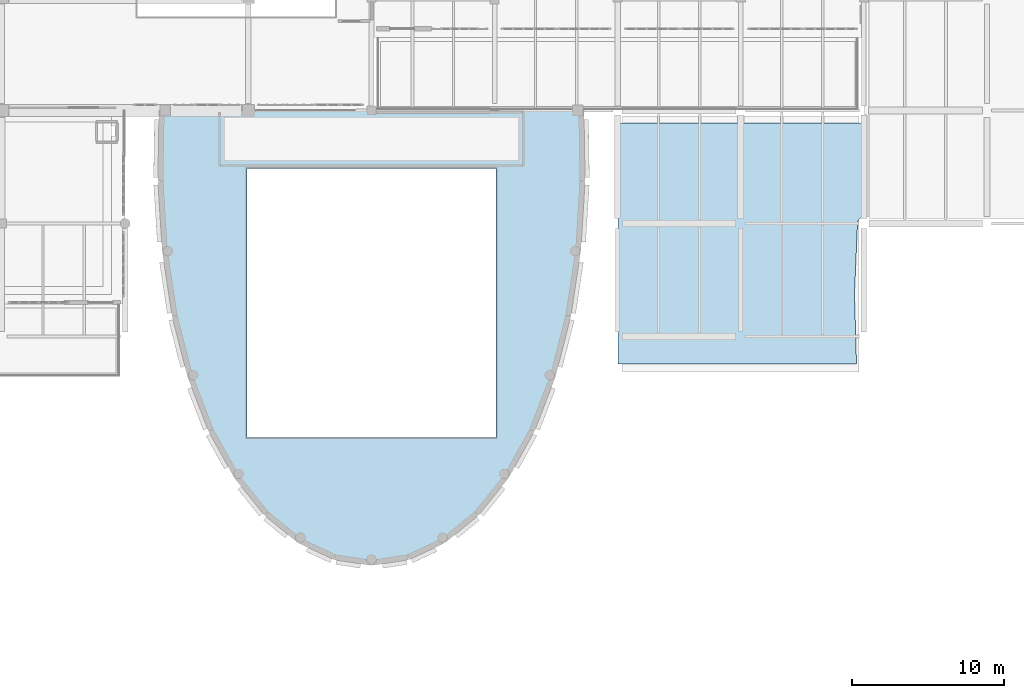
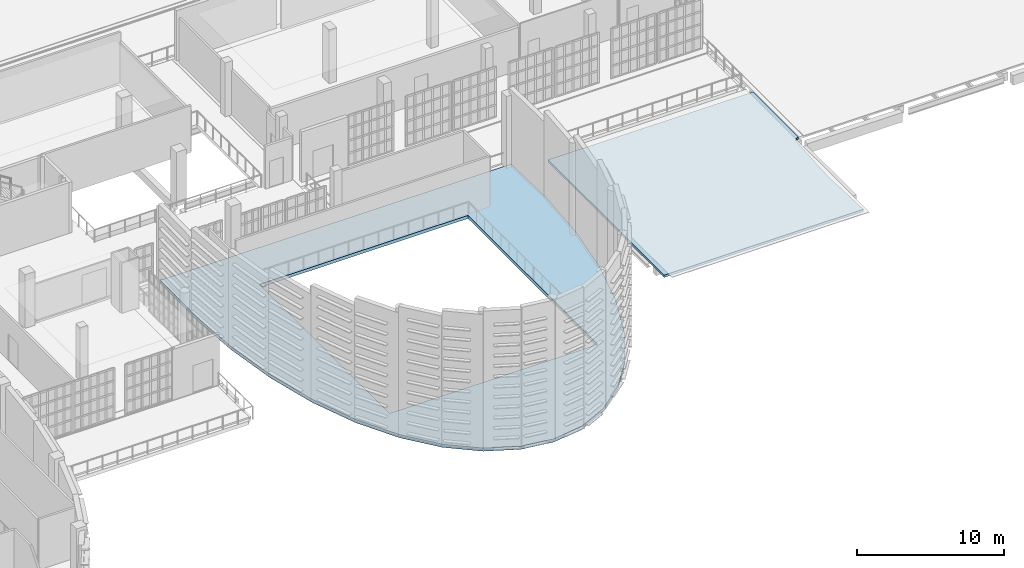
# One storey, part 49 of 73: 2 slabs.
"""IFC4 building model written with IfcOpenShell, lengths in metres."""

from ifc_helpers import new_model, si_unit, direction, frame, origin, place, context, subcontext, project, spatial, polyline, outline, extrude, material, layer, layer_set, type_object, element, save


model = new_model("IFC4")

# Units and contexts
model_context = context("Model", 3, precision=1e-05, world=origin(), true_north=direction((0.0, 1.0)))
body_context = subcontext(model_context, "Body", "Model", "MODEL_VIEW")
ifc_project = project(units=[si_unit("LENGTHUNIT", "METRE"), si_unit("AREAUNIT", "SQUARE_METRE"), si_unit("VOLUMEUNIT", "CUBIC_METRE"), si_unit("PLANEANGLEUNIT", "RADIAN"), si_unit("MASSUNIT", "GRAM", prefix="KILO")], contexts=[model_context])

# Site, building, storey
site_placement = place(None, origin())
site = spatial("IfcSite", under=ifc_project, at=site_placement, CompositionType="ELEMENT")
building_placement = place(site_placement, origin())
building = spatial("IfcBuilding", under=site, at=building_placement, Name="Kaelora Sail Theatre", CompositionType="ELEMENT")
storey_placement = place(building_placement, frame((0.0, 0.0, 10.199951171875)))
storey = spatial("IfcBuildingStorey", under=building, at=storey_placement, Name="L02", CompositionType="ELEMENT", Elevation=10.199951171875)

# Slabs
ifc_material_1 = material(Name="Concrete C40/50", Category="concrete")
ifc_layer_1 = layer(ifc_material_1, 0.260009765625)
ifc_layer_set_1 = layer_set([ifc_layer_1], Name="Concrete C40/50")
slab_type_1 = type_object("IfcSlabType", Name="STR-SLB-SL-FL260", PredefinedType="FLOOR", material=ifc_layer_set_1)
slab_1_placement = place(storey_placement, frame((0.0, 0.0, -0.260009765625)))
element("IfcSlab", 1, at=slab_1_placement, inside=storey, type_object=slab_type_1, Name="Studio Theatre floor slab (L02)", PredefinedType="FLOOR", context=body_context, shape_type="SweptSolid", body=[
    extrude(outline(polyline([(104.39990234375, 61.02001953125), (104.477294921875, 56.364501953125), (104.19482421875, 51.82373046875), (103.543212890625, 47.50927734375), (102.525390625, 43.527587890625), (101.158203125, 39.9765625), (99.472412109375, 36.943603515625), (97.51220703125, 34.503662109375), (95.334716796875, 32.716552734375), (93.006103515625, 31.62646484375), (90.60009765625, 31.260009765625), (88.194091796875, 31.62646484375), (85.865234375, 32.716552734375), (83.687744140625, 34.503662109375), (81.727783203125, 36.943603515625), (80.0419921875, 39.9765625), (78.6748046875, 43.527587890625), (77.656982421875, 47.50927734375), (77.005126953125, 51.82373046875), (76.72265625, 56.364501953125), (76.800048828125, 61.02001953125), (104.39990234375, 61.02001953125)]), holes=[polyline([(82.39990234375, 39.5), (98.800048828125, 39.5), (98.800048828125, 57.199951171875), (82.39990234375, 57.199951171875), (82.39990234375, 39.5)])]), origin(), (0.0, 0.0, 1.0), 0.260009765625),
])
ifc_material_2 = material(Name="Concrete C40/50", Category="concrete")
ifc_layer_2 = layer(ifc_material_2, 0.195068359375)
ifc_layer_set_2 = layer_set([ifc_layer_2], Name="Concrete C40/50")
slab_type_2 = type_object("IfcSlabType", Name="STR-SLB-SL-RF195", PredefinedType="ROOF", material=ifc_layer_set_2)
slab_2_placement = place(storey_placement, frame((0.0, 0.0, -0.195068359375)))
element("IfcSlab", 2, at=slab_2_placement, inside=storey, type_object=slab_type_2, Name="Flat wing roof slab RF-FI-EAST", PredefinedType="ROOF", context=body_context, shape_type="SweptSolid", body=[
    extrude(outline(polyline([(106.830078125, 44.35009765625), (106.830078125, 60.199951171875), (122.969970703125, 60.199951171875), (122.969970703125, 53.99853515625), (122.843505859375, 53.9697265625), (122.70947265625, 53.88330078125), (122.6171875, 53.7529296875), (122.583984375, 53.6376953125), (122.38232421875, 48.9423828125), (122.51513671875, 44.35009765625), (106.830078125, 44.35009765625)])), origin(), (0.0, 0.0, 1.0), 0.195068359375),
])

save(model, "model.ifc")
